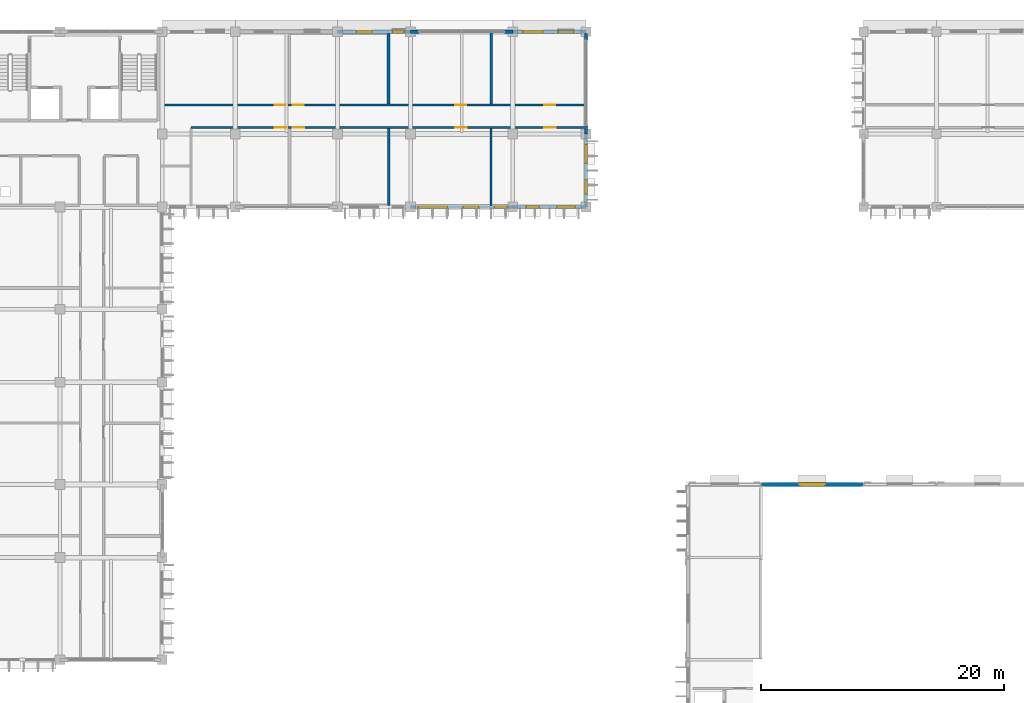
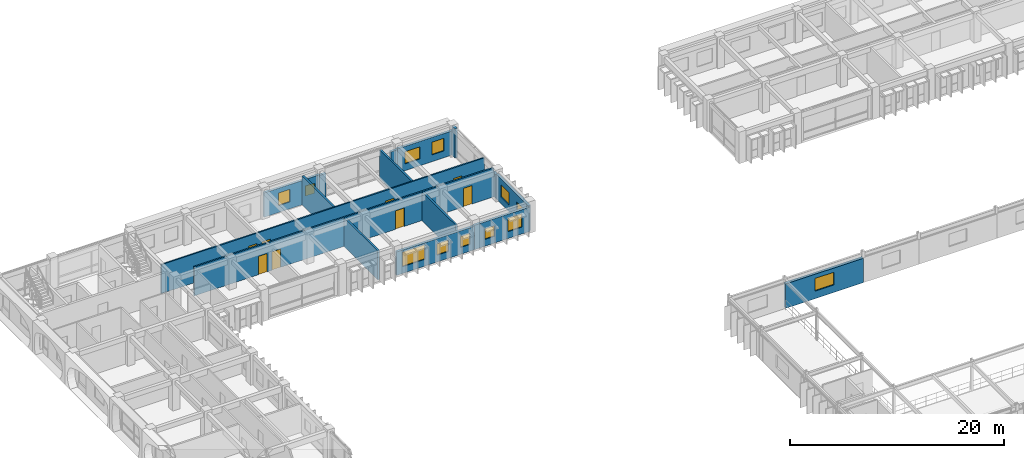
# One storey, part 57 of 88: 16 walls, 12 windows, 8 doors, 20 openings.
"""IFC4 building model written with IfcOpenShell, lengths in metres."""

from ifc_helpers import new_model, si_unit, direction, frame, frame_2d, origin, place, context, subcontext, project, spatial, rectangle, extrude, material, layer, layer_set, type_object, element, fill, save


model = new_model("IFC4")

# Units and contexts
model_context = context("Model", 3, precision=1e-05, world=origin(), true_north=direction((0.0, 1.0)))
body_context = subcontext(model_context, "Body", "Model", "MODEL_VIEW")
ifc_project = project(units=[si_unit("LENGTHUNIT", "METRE"), si_unit("AREAUNIT", "SQUARE_METRE"), si_unit("VOLUMEUNIT", "CUBIC_METRE"), si_unit("PLANEANGLEUNIT", "RADIAN"), si_unit("MASSUNIT", "GRAM", prefix="KILO"), si_unit("THERMODYNAMICTEMPERATUREUNIT", "KELVIN")], contexts=[model_context])

# Site, building, storey
site_placement = place(None, origin())
site = spatial("IfcSite", under=ifc_project, at=site_placement, CompositionType="ELEMENT")
building_placement = place(site_placement, origin())
building = spatial("IfcBuilding", under=site, at=building_placement, Name="Thalorik Housing Commons", CompositionType="ELEMENT")
storey_placement = place(building_placement, frame((0.0, 0.0, 4.5)))
storey = spatial("IfcBuildingStorey", under=building, at=storey_placement, Name="L01", CompositionType="ELEMENT", Elevation=4.5)

# Wall, openings, doors
ifc_material_1 = material(Name="Masonry fire-rated corridor wall", Category="masonry")
ifc_layer_1 = layer(ifc_material_1, 0.14990234375, Name="Masonry fire-rated corridor wall", Category="masonry")
ifc_layer_set_1 = layer_set([ifc_layer_1], Name="Masonry fire-rated corridor wall")
wall_type_1 = type_object("IfcWallType", Name="ARC-WAL-CORR-150", PredefinedType="PARTITIONING", material=ifc_layer_set_1)
wall_1_placement = place(storey_placement, frame((22.659912109375, 117.580078125, 0.0), z_axis=(0.0, 0.0, 1.0), x_axis=(1.0, 0.0, 0.0)))
wall_1 = element("IfcWall", 1, at=wall_1_placement, inside=storey, type_object=wall_type_1, Name="L01 Block A N Corridor Wall 2", PredefinedType="PARTITIONING", context=body_context, shape_type="SweptSolid", body=[
    extrude(rectangle(XDim=34.880126953125, YDim=0.14990234375, at=frame_2d((17.43994140625, 0.0))), origin(), (0.0, 0.0, 1.0), 3.300048828125),
])
opening_1_placement = place(wall_1_placement, frame((9.3798828125, 0.0, 0.0)))
opening_1 = element("IfcOpeningElement", 2, at=opening_1_placement, cuts=wall_1, Name="Opening ID-0441", PredefinedType="OPENING", context=body_context, shape_type="SweptSolid", body=[
    extrude(rectangle(XDim=0.919921875, YDim=2.10009765625, at=frame_2d((0.4599609375, 1.050048828125))), frame((0.0, 0.0849609375, 0.0), z_axis=(0.0, -1.0, 0.0), x_axis=(1.0, 0.0, 0.0)), (0.0, 0.0, 1.0), 0.169921875),
])
opening_2_placement = place(wall_1_placement, frame((10.840087890625, 0.0, 0.0)))
opening_2 = element("IfcOpeningElement", 3, at=opening_2_placement, cuts=wall_1, Name="Opening ID-0442", PredefinedType="OPENING", context=body_context, shape_type="SweptSolid", body=[
    extrude(rectangle(XDim=0.919921875, YDim=2.10009765625, at=frame_2d((0.4599609375, 1.050048828125))), frame((0.0, 0.0849609375, 0.0), z_axis=(0.0, -1.0, 0.0), x_axis=(1.0, 0.0, 0.0)), (0.0, 0.0, 1.0), 0.169921875),
])
opening_3_placement = place(wall_1_placement, frame((24.199951171875, 0.0, 0.0)))
opening_3 = element("IfcOpeningElement", 4, at=opening_3_placement, cuts=wall_1, Name="Opening ID-0443", PredefinedType="OPENING", context=body_context, shape_type="SweptSolid", body=[
    extrude(rectangle(XDim=0.919921875, YDim=2.10009765625, at=frame_2d((0.4599609375, 1.050048828125))), frame((0.0, 0.0849609375, 0.0), z_axis=(0.0, -1.0, 0.0), x_axis=(1.0, 0.0, 0.0)), (0.0, 0.0, 1.0), 0.169921875),
])
opening_4_placement = place(wall_1_placement, frame((31.5146484375, 0.0, 0.0)))
opening_4 = element("IfcOpeningElement", 5, at=opening_4_placement, cuts=wall_1, Name="Opening ID-0444", PredefinedType="OPENING", context=body_context, shape_type="SweptSolid", body=[
    extrude(rectangle(XDim=0.919921875, YDim=2.10009765625, at=frame_2d((0.4599609375, 1.050048828125))), frame((0.0, 0.0849609375, 0.0), z_axis=(0.0, -1.0, 0.0), x_axis=(1.0, 0.0, 0.0)), (0.0, 0.0, 1.0), 0.169921875),
])
ifc_material_2 = material(Name="Solid core hardwood timber", Category="wood")
door_type_1 = type_object("IfcDoorType", Name="ARC-DR-FD30-920", OperationType="NOTDEFINED", PredefinedType="DOOR", material=ifc_material_2)
door_1_placement = place(opening_1_placement, origin())
door_1 = element("IfcDoor", 6, at=door_1_placement, inside=storey, type_object=door_type_1, Name="L01 Music and Craft Practice Room Door", OperationType="SINGLE_SWING_RIGHT", OverallHeight=2.10009765625, OverallWidth=0.919921875, PredefinedType="DOOR", context=body_context, shape_type="SweptSolid", body=[
    extrude(rectangle(XDim=0.919921875, YDim=2.10009765625, at=frame_2d((0.4599609375, 1.050048828125))), frame((0.0, 0.02490234375, 0.0), z_axis=(0.0, -1.0, 0.0), x_axis=(1.0, 0.0, 0.0)), (0.0, 0.0, 1.0), 0.050048828125),
])
fill(opening_1, door_1)
door_2_placement = place(opening_2_placement, origin())
door_2 = element("IfcDoor", 7, at=door_2_placement, inside=storey, type_object=door_type_1, Name="L01 Ceramics and Print Workshop Door", OperationType="SINGLE_SWING_LEFT", OverallHeight=2.10009765625, OverallWidth=0.919921875, PredefinedType="DOOR", context=body_context, shape_type="SweptSolid", body=[
    extrude(rectangle(XDim=0.919921875, YDim=2.10009765625, at=frame_2d((0.4599609375, 1.050048828125))), frame((0.0, 0.02490234375, 0.0), z_axis=(0.0, -1.0, 0.0), x_axis=(1.0, 0.0, 0.0)), (0.0, 0.0, 1.0), 0.050048828125),
])
fill(opening_2, door_2)
door_3_placement = place(opening_3_placement, origin())
door_3 = element("IfcDoor", 8, at=door_3_placement, inside=storey, type_object=door_type_1, Name="L01 Residents Health and Quiet Room Door", OperationType="SINGLE_SWING_RIGHT", OverallHeight=2.10009765625, OverallWidth=0.919921875, PredefinedType="DOOR", context=body_context, shape_type="SweptSolid", body=[
    extrude(rectangle(XDim=0.919921875, YDim=2.10009765625, at=frame_2d((0.4599609375, 1.050048828125))), frame((0.0, 0.02490234375, 0.0), z_axis=(0.0, -1.0, 0.0), x_axis=(1.0, 0.0, 0.0)), (0.0, 0.0, 1.0), 0.050048828125),
])
fill(opening_3, door_3)
door_4_placement = place(opening_4_placement, origin())
door_4 = element("IfcDoor", 9, at=door_4_placement, inside=storey, type_object=door_type_1, Name="L01 Residents Study Room Door", OperationType="SINGLE_SWING_LEFT", OverallHeight=2.10009765625, OverallWidth=0.919921875, PredefinedType="DOOR", context=body_context, shape_type="SweptSolid", body=[
    extrude(rectangle(XDim=0.919921875, YDim=2.10009765625, at=frame_2d((0.4599609375, 1.050048828125))), frame((0.0, 0.02490234375, 0.0), z_axis=(0.0, -1.0, 0.0), x_axis=(1.0, 0.0, 0.0)), (0.0, 0.0, 1.0), 0.050048828125),
])
fill(opening_4, door_4)

ifc_layer_2 = layer(ifc_material_1, 0.1650390625, Name="Masonry fire-rated corridor wall", Category="masonry")
ifc_layer_set_2 = layer_set([ifc_layer_2], Name="Masonry fire-rated corridor wall")
wall_type_2 = type_object("IfcWallType", Name="ARC-WAL-CORR-165", PredefinedType="PARTITIONING", material=ifc_layer_set_2)
wall_2_placement = place(storey_placement, frame((25.14990234375, 115.719970703125, 0.0), z_axis=(0.0, 0.0, 1.0), x_axis=(1.0, 0.0, 0.0)))
wall_2 = element("IfcWall", 10, at=wall_2_placement, inside=storey, type_object=wall_type_2, Name="L01 Block A N Corridor Wall 1", PredefinedType="PARTITIONING", context=body_context, shape_type="SweptSolid", body=[
    extrude(rectangle(XDim=32.320556640625, YDim=0.1650390625, at=frame_2d((16.16015625, 0.0))), origin(), (0.0, 0.0, 1.0), 3.300048828125),
])
opening_5_placement = place(wall_2_placement, frame((6.89990234375, 0.0, 0.0)))
opening_5 = element("IfcOpeningElement", 11, at=opening_5_placement, cuts=wall_2, Name="Opening ID-0437", PredefinedType="OPENING", context=body_context, shape_type="SweptSolid", body=[
    extrude(rectangle(XDim=0.949951171875, YDim=2.10009765625, at=frame_2d((0.47509765625, 1.050048828125))), frame((0.0, 0.092529296875, 0.0), z_axis=(0.0, -1.0, 0.0), x_axis=(1.0, 0.0, 0.0)), (0.0, 0.0, 1.0), 0.18505859375),
])
opening_6_placement = place(wall_2_placement, frame((8.35009765625, 0.0, 0.0)))
opening_6 = element("IfcOpeningElement", 12, at=opening_6_placement, cuts=wall_2, Name="Opening ID-0438", PredefinedType="OPENING", context=body_context, shape_type="SweptSolid", body=[
    extrude(rectangle(XDim=0.949951171875, YDim=2.10009765625, at=frame_2d((0.47509765625, 1.050048828125))), frame((0.0, 0.092529296875, 0.0), z_axis=(0.0, -1.0, 0.0), x_axis=(1.0, 0.0, 0.0)), (0.0, 0.0, 1.0), 0.18505859375),
])
opening_7_placement = place(wall_2_placement, frame((21.717529296875, 0.0, 0.0)))
opening_7 = element("IfcOpeningElement", 13, at=opening_7_placement, cuts=wall_2, Name="Opening ID-0439", PredefinedType="OPENING", context=body_context, shape_type="SweptSolid", body=[
    extrude(rectangle(XDim=0.949951171875, YDim=2.10009765625, at=frame_2d((0.47509765625, 1.050048828125))), frame((0.0, 0.092529296875, 0.0), z_axis=(0.0, -1.0, 0.0), x_axis=(1.0, 0.0, 0.0)), (0.0, 0.0, 1.0), 0.18505859375),
])
opening_8_placement = place(wall_2_placement, frame((29.03125, 0.0, 0.0)))
opening_8 = element("IfcOpeningElement", 14, at=opening_8_placement, cuts=wall_2, Name="Opening ID-0440", PredefinedType="OPENING", context=body_context, shape_type="SweptSolid", body=[
    extrude(rectangle(XDim=0.949951171875, YDim=2.10009765625, at=frame_2d((0.47509765625, 1.050048828125))), frame((0.0, 0.092529296875, 0.0), z_axis=(0.0, -1.0, 0.0), x_axis=(1.0, 0.0, 0.0)), (0.0, 0.0, 1.0), 0.18505859375),
])
ifc_material_3 = material(Name="Steel S355", Category="steel")
door_type_2 = type_object("IfcDoorType", Name="ARC-DR-FD60-950", OperationType="NOTDEFINED", PredefinedType="DOOR", material=ifc_material_3)
door_5_placement = place(opening_5_placement, origin())
door_5 = element("IfcDoor", 15, at=door_5_placement, inside=storey, type_object=door_type_2, Name="L01 Community Study Hall Entrance Door", OperationType="SINGLE_SWING_RIGHT", OverallHeight=2.10009765625, OverallWidth=0.949951171875, PredefinedType="DOOR", context=body_context, shape_type="SweptSolid", body=[
    extrude(rectangle(XDim=0.949951171875, YDim=2.10009765625, at=frame_2d((0.47509765625, 1.050048828125))), frame((0.0, 0.02490234375, 0.0), z_axis=(0.0, -1.0, 0.0), x_axis=(1.0, 0.0, 0.0)), (0.0, 0.0, 1.0), 0.050048828125),
])
fill(opening_5, door_5)
door_6_placement = place(opening_6_placement, origin())
door_6 = element("IfcDoor", 16, at=door_6_placement, inside=storey, type_object=door_type_2, Name="L01 Shared Sewing Workshop Entrance Door", OperationType="SINGLE_SWING_LEFT", OverallHeight=2.10009765625, OverallWidth=0.949951171875, PredefinedType="DOOR", context=body_context, shape_type="SweptSolid", body=[
    extrude(rectangle(XDim=0.949951171875, YDim=2.10009765625, at=frame_2d((0.47509765625, 1.050048828125))), frame((0.0, 0.02490234375, 0.0), z_axis=(0.0, -1.0, 0.0), x_axis=(1.0, 0.0, 0.0)), (0.0, 0.0, 1.0), 0.050048828125),
])
fill(opening_6, door_6)
door_7_placement = place(opening_7_placement, origin())
door_7 = element("IfcDoor", 17, at=door_7_placement, inside=storey, type_object=door_type_2, Name="L01 Digital Media Room Entrance Door", OperationType="SINGLE_SWING_RIGHT", OverallHeight=2.10009765625, OverallWidth=0.949951171875, PredefinedType="DOOR", context=body_context, shape_type="SweptSolid", body=[
    extrude(rectangle(XDim=0.949951171875, YDim=2.10009765625, at=frame_2d((0.47509765625, 1.050048828125))), frame((0.0, 0.02490234375, 0.0), z_axis=(0.0, -1.0, 0.0), x_axis=(1.0, 0.0, 0.0)), (0.0, 0.0, 1.0), 0.050048828125),
])
fill(opening_7, door_7)
door_8_placement = place(opening_8_placement, origin())
door_8 = element("IfcDoor", 18, at=door_8_placement, inside=storey, type_object=door_type_2, Name="L01 Youth Reading Room Entrance Door", OperationType="SINGLE_SWING_LEFT", OverallHeight=2.10009765625, OverallWidth=0.949951171875, PredefinedType="DOOR", context=body_context, shape_type="SweptSolid", body=[
    extrude(rectangle(XDim=0.949951171875, YDim=2.10009765625, at=frame_2d((0.47509765625, 1.050048828125))), frame((0.0, 0.02490234375, 0.0), z_axis=(0.0, -1.0, 0.0), x_axis=(1.0, 0.0, 0.0)), (0.0, 0.0, 1.0), 0.050048828125),
])
fill(opening_8, door_8)

# Wall, openings, windows
ifc_material_4 = material(Name="White precast concrete C40/50", Category="concrete")
ifc_layer_3 = layer(ifc_material_4, 0.2548828125, Name="White precast concrete C40/50", Category="concrete")
ifc_layer_set_3 = layer_set([ifc_layer_3], Name="White precast concrete C40/50")
wall_type_3 = type_object("IfcWallType", Name="ARC-WAL-EXT-255", PredefinedType="STANDARD", material=ifc_layer_set_3)
wall_3_placement = place(storey_placement, frame((43.199951171875, 109.199951171875, 0.0), z_axis=(0.0, 0.0, 1.0), x_axis=(1.0, 0.0, 0.0)))
wall_3 = element("IfcWall", 19, at=wall_3_placement, inside=storey, type_object=wall_type_3, Name="L01 Exterior Wall WAL-EXT-L01-A-0032", PredefinedType="STANDARD", context=body_context, shape_type="SweptSolid", body=[
    extrude(rectangle(XDim=8.400146484375, YDim=0.2548828125, at=frame_2d((4.2001953125, 0.0))), origin(), (0.0, 0.0, 1.0), 2.675048828125),
])
opening_9_placement = place(wall_3_placement, frame((0.6298828125, 0.0, 0.780029296875)))
opening_9 = element("IfcOpeningElement", 20, at=opening_9_placement, cuts=wall_3, Name="Opening W-34", PredefinedType="OPENING", context=body_context, shape_type="SweptSolid", body=[
    extrude(rectangle(XDim=2.39990234375, YDim=1.64990234375, at=frame_2d((1.199951171875, 0.824951171875))), frame((0.0, 0.137451171875, 0.0), z_axis=(0.0, -1.0, 0.0), x_axis=(1.0, 0.0, 0.0)), (0.0, 0.0, 1.0), 0.27490234375),
])
opening_10_placement = place(wall_3_placement, frame((4.344970703125, 0.0, 0.780029296875)))
opening_10 = element("IfcOpeningElement", 21, at=opening_10_placement, cuts=wall_3, Name="Opening W-46", PredefinedType="OPENING", context=body_context, shape_type="SweptSolid", body=[
    extrude(rectangle(XDim=1.25, YDim=1.300048828125, at=frame_2d((0.625, 0.64990234375))), frame((0.0, 0.137451171875, 0.0), z_axis=(0.0, -1.0, 0.0), x_axis=(1.0, 0.0, 0.0)), (0.0, 0.0, 1.0), 0.27490234375),
])
opening_11_placement = place(wall_3_placement, frame((6.909912109375, 0.0, 0.780029296875)))
opening_11 = element("IfcOpeningElement", 22, at=opening_11_placement, cuts=wall_3, Name="Opening W-02", PredefinedType="OPENING", context=body_context, shape_type="SweptSolid", body=[
    extrude(rectangle(XDim=1.0, YDim=1.25, at=frame_2d((0.5, 0.625))), frame((0.0, 0.137451171875, 0.0), z_axis=(0.0, -1.0, 0.0), x_axis=(1.0, 0.0, 0.0)), (0.0, 0.0, 1.0), 0.27490234375),
])
ifc_material_5 = material(Name="Anodised aluminium and solar-control low-E glass", Category="aluminium")
window_type_1 = type_object("IfcWindowType", Name="ARC-WIN-02", PartitioningType="SINGLE_PANEL", PredefinedType="WINDOW", material=ifc_material_5)
window_1_placement = place(opening_11_placement, origin())
window_1 = element("IfcWindow", 23, at=window_1_placement, inside=storey, type_object=window_type_1, Name="L01 Facade Window 56", OverallHeight=1.25, OverallWidth=1.0, PartitioningType="SINGLE_PANEL", PredefinedType="WINDOW", context=body_context, shape_type="SweptSolid", body=[
    extrude(rectangle(XDim=1.0, YDim=1.25, at=frame_2d((0.5, 0.625))), frame((0.0, 0.030029296875, 0.0), z_axis=(0.0, -1.0, 0.0), x_axis=(1.0, 0.0, 0.0)), (0.0, 0.0, 1.0), 0.06005859375),
])
fill(opening_11, window_1)
window_type_2 = type_object("IfcWindowType", Name="ARC-WIN-34", PartitioningType="DOUBLE_PANEL_VERTICAL", PredefinedType="WINDOW", material=ifc_material_5)
window_2_placement = place(opening_9_placement, origin())
window_2 = element("IfcWindow", 24, at=window_2_placement, inside=storey, type_object=window_type_2, Name="L01 Facade Window 54", OverallHeight=1.64990234375, OverallWidth=2.39990234375, PartitioningType="DOUBLE_PANEL_VERTICAL", PredefinedType="WINDOW", context=body_context, shape_type="SweptSolid", body=[
    extrude(rectangle(XDim=2.39990234375, YDim=1.64990234375, at=frame_2d((1.199951171875, 0.824951171875))), frame((0.0, 0.030029296875, 0.0), z_axis=(0.0, -1.0, 0.0), x_axis=(1.0, 0.0, 0.0)), (0.0, 0.0, 1.0), 0.06005859375),
])
fill(opening_9, window_2)
window_type_3 = type_object("IfcWindowType", Name="ARC-WIN-46", PartitioningType="SINGLE_PANEL", PredefinedType="WINDOW", material=ifc_material_5)
window_3_placement = place(opening_10_placement, origin())
window_3 = element("IfcWindow", 25, at=window_3_placement, inside=storey, type_object=window_type_3, Name="L01 Facade Window 55", OverallHeight=1.300048828125, OverallWidth=1.25, PartitioningType="SINGLE_PANEL", PredefinedType="WINDOW", context=body_context, shape_type="SweptSolid", body=[
    extrude(rectangle(XDim=1.25, YDim=1.300048828125, at=frame_2d((0.625, 0.64990234375))), frame((0.0, 0.030029296875, 0.0), z_axis=(0.0, -1.0, 0.0), x_axis=(1.0, 0.0, 0.0)), (0.0, 0.0, 1.0), 0.06005859375),
])
fill(opening_10, window_3)

wall_4_placement = place(storey_placement, frame((51.60009765625, 109.199951171875, 0.0), z_axis=(0.0, 0.0, 1.0), x_axis=(1.0, 0.0, 0.0)))
wall_4 = element("IfcWall", 26, at=wall_4_placement, inside=storey, type_object=wall_type_3, Name="L01 Exterior Wall WAL-EXT-L01-A-0033", PredefinedType="STANDARD", context=body_context, shape_type="SweptSolid", body=[
    extrude(rectangle(XDim=6.0, YDim=0.2548828125, at=frame_2d((3.0, 0.0))), origin(), (0.0, 0.0, 1.0), 2.77490234375),
])
opening_12_placement = place(wall_4_placement, frame((1.10498046875, 0.0, 0.780029296875)))
opening_12 = element("IfcOpeningElement", 27, at=opening_12_placement, cuts=wall_4, Name="Opening W-44", PredefinedType="OPENING", context=body_context, shape_type="SweptSolid", body=[
    extrude(rectangle(XDim=1.050048828125, YDim=1.199951171875, at=frame_2d((0.52490234375, 0.60009765625))), frame((0.0, 0.137451171875, 0.0), z_axis=(0.0, -1.0, 0.0), x_axis=(1.0, 0.0, 0.0)), (0.0, 0.0, 1.0), 0.27490234375),
])
opening_13_placement = place(wall_4_placement, frame((3.6298828125, 0.0, 0.780029296875)))
opening_13 = element("IfcOpeningElement", 28, at=opening_13_placement, cuts=wall_4, Name="Opening W-51", PredefinedType="OPENING", context=body_context, shape_type="SweptSolid", body=[
    extrude(rectangle(XDim=1.47998046875, YDim=1.52001953125, at=frame_2d((0.739990234375, 0.760009765625))), frame((0.0, 0.137451171875, 0.0), z_axis=(0.0, -1.0, 0.0), x_axis=(1.0, 0.0, 0.0)), (0.0, 0.0, 1.0), 0.27490234375),
])
window_type_4 = type_object("IfcWindowType", Name="ARC-WIN-44", PartitioningType="SINGLE_PANEL", PredefinedType="WINDOW", material=ifc_material_5)
window_4_placement = place(opening_12_placement, origin())
window_4 = element("IfcWindow", 29, at=window_4_placement, inside=storey, type_object=window_type_4, Name="L01 Facade Window 57", OverallHeight=1.199951171875, OverallWidth=1.050048828125, PartitioningType="SINGLE_PANEL", PredefinedType="WINDOW", context=body_context, shape_type="SweptSolid", body=[
    extrude(rectangle(XDim=1.050048828125, YDim=1.199951171875, at=frame_2d((0.52490234375, 0.60009765625))), frame((0.0, 0.030029296875, 0.0), z_axis=(0.0, -1.0, 0.0), x_axis=(1.0, 0.0, 0.0)), (0.0, 0.0, 1.0), 0.06005859375),
])
fill(opening_12, window_4)
window_type_5 = type_object("IfcWindowType", Name="ARC-WIN-51", PartitioningType="SINGLE_PANEL", PredefinedType="WINDOW", material=ifc_material_5)
window_5_placement = place(opening_13_placement, origin())
window_5 = element("IfcWindow", 30, at=window_5_placement, inside=storey, type_object=window_type_5, Name="L01 Facade Window 58", OverallHeight=1.52001953125, OverallWidth=1.47998046875, PartitioningType="SINGLE_PANEL", PredefinedType="WINDOW", context=body_context, shape_type="SweptSolid", body=[
    extrude(rectangle(XDim=1.47998046875, YDim=1.52001953125, at=frame_2d((0.739990234375, 0.760009765625))), frame((0.0, 0.030029296875, 0.0), z_axis=(0.0, -1.0, 0.0), x_axis=(1.0, 0.0, 0.0)), (0.0, 0.0, 1.0), 0.06005859375),
])
fill(opening_13, window_5)

wall_5_placement = place(storey_placement, frame((57.60009765625, 109.199951171875, 0.0), z_axis=(0.0, 0.0, 1.0), x_axis=(0.0, 1.0, 0.0)))
wall_5 = element("IfcWall", 31, at=wall_5_placement, inside=storey, type_object=wall_type_3, Name="L01 Exterior Wall WAL-EXT-L01-A-0034", PredefinedType="STANDARD", context=body_context, shape_type="SweptSolid", body=[
    extrude(rectangle(XDim=6.0, YDim=0.2548828125, at=frame_2d((3.0, 0.0))), origin(), (0.0, 0.0, 1.0), 2.875),
])
opening_14_placement = place(wall_5_placement, frame((1.054931640625, 0.0, 0.780029296875)))
opening_14 = element("IfcOpeningElement", 32, at=opening_14_placement, cuts=wall_5, Name="Opening W-45", PredefinedType="OPENING", context=body_context, shape_type="SweptSolid", body=[
    extrude(rectangle(XDim=1.14990234375, YDim=1.25, at=frame_2d((0.574951171875, 0.625))), frame((0.0, 0.137451171875, 0.0), z_axis=(0.0, -1.0, 0.0), x_axis=(1.0, 0.0, 0.0)), (0.0, 0.0, 1.0), 0.27490234375),
])
opening_15_placement = place(wall_5_placement, frame((3.610107421875, 0.0, 0.780029296875)))
opening_15 = element("IfcOpeningElement", 33, at=opening_15_placement, cuts=wall_5, Name="Opening W-52", PredefinedType="OPENING", context=body_context, shape_type="SweptSolid", body=[
    extrude(rectangle(XDim=1.52001953125, YDim=1.419921875, at=frame_2d((0.760009765625, 0.7099609375))), frame((0.0, 0.137451171875, 0.0), z_axis=(0.0, -1.0, 0.0), x_axis=(1.0, 0.0, 0.0)), (0.0, 0.0, 1.0), 0.27490234375),
])
window_type_6 = type_object("IfcWindowType", Name="ARC-WIN-45", PartitioningType="SINGLE_PANEL", PredefinedType="WINDOW", material=ifc_material_5)
window_6_placement = place(opening_14_placement, origin())
window_6 = element("IfcWindow", 34, at=window_6_placement, inside=storey, type_object=window_type_6, Name="L01 Facade Window 59", OverallHeight=1.25, OverallWidth=1.14990234375, PartitioningType="SINGLE_PANEL", PredefinedType="WINDOW", context=body_context, shape_type="SweptSolid", body=[
    extrude(rectangle(XDim=1.14990234375, YDim=1.25, at=frame_2d((0.574951171875, 0.625))), frame((0.0, 0.030029296875, 0.0), z_axis=(0.0, -1.0, 0.0), x_axis=(1.0, 0.0, 0.0)), (0.0, 0.0, 1.0), 0.06005859375),
])
fill(opening_14, window_6)
window_type_7 = type_object("IfcWindowType", Name="ARC-WIN-52", PartitioningType="SINGLE_PANEL", PredefinedType="WINDOW", material=ifc_material_5)
window_7_placement = place(opening_15_placement, origin())
window_7 = element("IfcWindow", 35, at=window_7_placement, inside=storey, type_object=window_type_7, Name="L01 Facade Window 60", OverallHeight=1.419921875, OverallWidth=1.52001953125, PartitioningType="SINGLE_PANEL", PredefinedType="WINDOW", context=body_context, shape_type="SweptSolid", body=[
    extrude(rectangle(XDim=1.52001953125, YDim=1.419921875, at=frame_2d((0.760009765625, 0.7099609375))), frame((0.0, 0.030029296875, 0.0), z_axis=(0.0, -1.0, 0.0), x_axis=(1.0, 0.0, 0.0)), (0.0, 0.0, 1.0), 0.06005859375),
])
fill(opening_15, window_7)

# Walls
wall_6_placement = place(storey_placement, frame((57.60009765625, 115.199951171875, 0.0), z_axis=(0.0, 0.0, 1.0), x_axis=(0.0, 1.0, 0.0)))
element("IfcWall", 36, at=wall_6_placement, inside=storey, type_object=wall_type_3, Name="L01 Exterior Wall WAL-PIERL-L01-A-0035", PredefinedType="STANDARD", context=body_context, shape_type="SweptSolid", body=[
    extrude(rectangle(XDim=0.699951171875, YDim=0.2548828125, at=frame_2d((0.35009765625, 0.0))), origin(), (0.0, 0.0, 1.0), 2.72509765625),
])
wall_7_placement = place(storey_placement, frame((57.60009765625, 122.89990234375, 0.0), z_axis=(0.0, 0.0, 1.0), x_axis=(0.0, 1.0, 0.0)))
element("IfcWall", 37, at=wall_7_placement, inside=storey, type_object=wall_type_3, Name="L01 Exterior Wall WAL-PIERR-L01-A-0035", PredefinedType="STANDARD", context=body_context, shape_type="SweptSolid", body=[
    extrude(rectangle(XDim=0.570556640625, YDim=0.2548828125, at=frame_2d((0.28515625, 0.0))), origin(), (0.0, 0.0, 1.0), 3.340087890625),
])

# Wall, openings, windows
wall_8_placement = place(storey_placement, frame((57.60009765625, 123.60009765625, 0.0), z_axis=(0.0, 0.0, 1.0), x_axis=(-1.0, 0.0, 0.0)))
wall_8 = element("IfcWall", 38, at=wall_8_placement, inside=storey, type_object=wall_type_3, Name="L01 Exterior Wall WAL-EXT-L01-A-0036", PredefinedType="STANDARD", context=body_context, shape_type="SweptSolid", body=[
    extrude(rectangle(XDim=6.0, YDim=0.2548828125, at=frame_2d((3.0, 0.0))), origin(), (0.0, 0.0, 1.0), 2.77490234375),
])
opening_16_placement = place(wall_8_placement, frame((1.0048828125, 0.0, 0.780029296875)))
opening_16 = element("IfcOpeningElement", 39, at=opening_16_placement, cuts=wall_8, Name="Opening W-47", PredefinedType="OPENING", context=body_context, shape_type="SweptSolid", body=[
    extrude(rectangle(XDim=1.25, YDim=1.449951171875, at=frame_2d((0.625, 0.72509765625))), frame((0.0, 0.137451171875, 0.0), z_axis=(0.0, -1.0, 0.0), x_axis=(1.0, 0.0, 0.0)), (0.0, 0.0, 1.0), 0.27490234375),
])
opening_17_placement = place(wall_8_placement, frame((3.56005859375, 0.0, 0.780029296875)))
opening_17 = element("IfcOpeningElement", 40, at=opening_17_placement, cuts=wall_8, Name="Opening W-54", PredefinedType="OPENING", context=body_context, shape_type="SweptSolid", body=[
    extrude(rectangle(XDim=1.6201171875, YDim=1.3798828125, at=frame_2d((0.81005859375, 0.68994140625))), frame((0.0, 0.137451171875, 0.0), z_axis=(0.0, -1.0, 0.0), x_axis=(1.0, 0.0, 0.0)), (0.0, 0.0, 1.0), 0.27490234375),
])
window_type_8 = type_object("IfcWindowType", Name="ARC-WIN-47", PartitioningType="SINGLE_PANEL", PredefinedType="WINDOW", material=ifc_material_5)
window_8_placement = place(opening_16_placement, origin())
window_8 = element("IfcWindow", 41, at=window_8_placement, inside=storey, type_object=window_type_8, Name="L01 Facade Window 61", OverallHeight=1.449951171875, OverallWidth=1.25, PartitioningType="SINGLE_PANEL", PredefinedType="WINDOW", context=body_context, shape_type="SweptSolid", body=[
    extrude(rectangle(XDim=1.25, YDim=1.449951171875, at=frame_2d((0.625, 0.72509765625))), frame((0.0, 0.030029296875, 0.0), z_axis=(0.0, -1.0, 0.0), x_axis=(1.0, 0.0, 0.0)), (0.0, 0.0, 1.0), 0.06005859375),
])
fill(opening_16, window_8)
window_type_9 = type_object("IfcWindowType", Name="ARC-WIN-54", PartitioningType="DOUBLE_PANEL_VERTICAL", PredefinedType="WINDOW", material=ifc_material_5)
window_9_placement = place(opening_17_placement, origin())
window_9 = element("IfcWindow", 42, at=window_9_placement, inside=storey, type_object=window_type_9, Name="L01 Facade Window 62", OverallHeight=1.3798828125, OverallWidth=1.6201171875, PartitioningType="DOUBLE_PANEL_VERTICAL", PredefinedType="WINDOW", context=body_context, shape_type="SweptSolid", body=[
    extrude(rectangle(XDim=1.6201171875, YDim=1.3798828125, at=frame_2d((0.81005859375, 0.68994140625))), frame((0.0, 0.030029296875, 0.0), z_axis=(0.0, -1.0, 0.0), x_axis=(1.0, 0.0, 0.0)), (0.0, 0.0, 1.0), 0.06005859375),
])
fill(opening_17, window_9)

# Walls
wall_9_placement = place(storey_placement, frame((51.60009765625, 123.60009765625, 0.0), z_axis=(0.0, 0.0, 1.0), x_axis=(-1.0, 0.0, 0.0)))
element("IfcWall", 43, at=wall_9_placement, inside=storey, type_object=wall_type_3, Name="L01 Exterior Wall WAL-PIERL-L01-A-0037", PredefinedType="STANDARD", context=body_context, shape_type="SweptSolid", body=[
    extrude(rectangle(XDim=0.7001953125, YDim=0.2548828125, at=frame_2d((0.35009765625, 0.0))), origin(), (0.0, 0.0, 1.0), 2.675048828125),
])
wall_10_placement = place(storey_placement, frame((43.89990234375, 123.60009765625, 0.0), z_axis=(0.0, 0.0, 1.0), x_axis=(-1.0, 0.0, 0.0)))
element("IfcWall", 44, at=wall_10_placement, inside=storey, type_object=wall_type_3, Name="L01 Exterior Wall WAL-PIERR-L01-A-0037", PredefinedType="STANDARD", context=body_context, shape_type="SweptSolid", body=[
    extrude(rectangle(XDim=0.699951171875, YDim=0.2548828125, at=frame_2d((0.35009765625, 0.0))), origin(), (0.0, 0.0, 1.0), 2.675048828125),
])

# Wall, openings, windows
wall_11_placement = place(storey_placement, frame((43.199951171875, 123.60009765625, 0.0), z_axis=(0.0, 0.0, 1.0), x_axis=(-1.0, 0.0, 0.0)))
wall_11 = element("IfcWall", 45, at=wall_11_placement, inside=storey, type_object=wall_type_3, Name="L01 Exterior Wall WAL-EXT-L01-A-0038", PredefinedType="STANDARD", context=body_context, shape_type="SweptSolid", body=[
    extrude(rectangle(XDim=6.0, YDim=0.2548828125, at=frame_2d((3.0, 0.0))), origin(), (0.0, 0.0, 1.0), 2.77490234375),
])
opening_18_placement = place(wall_11_placement, frame((0.52490234375, 0.0, 0.780029296875)))
opening_18 = element("IfcOpeningElement", 46, at=opening_18_placement, cuts=wall_11, Name="Opening W-43", PredefinedType="OPENING", context=body_context, shape_type="SweptSolid", body=[
    extrude(rectangle(XDim=0.949951171875, YDim=1.14990234375, at=frame_2d((0.47509765625, 0.574951171875))), frame((0.0, 0.137451171875, 0.0), z_axis=(0.0, -1.0, 0.0), x_axis=(1.0, 0.0, 0.0)), (0.0, 0.0, 1.0), 0.27490234375),
])
opening_19_placement = place(wall_11_placement, frame((3.18505859375, 0.0, 0.780029296875)))
opening_19 = element("IfcOpeningElement", 47, at=opening_19_placement, cuts=wall_11, Name="Opening W-47", PredefinedType="OPENING", context=body_context, shape_type="SweptSolid", body=[
    extrude(rectangle(XDim=1.25, YDim=1.449951171875, at=frame_2d((0.625, 0.72509765625))), frame((0.0, 0.137451171875, 0.0), z_axis=(0.0, -1.0, 0.0), x_axis=(1.0, 0.0, 0.0)), (0.0, 0.0, 1.0), 0.27490234375),
])
window_type_10 = type_object("IfcWindowType", Name="ARC-WIN-43", PartitioningType="SINGLE_PANEL", PredefinedType="WINDOW", material=ifc_material_5)
window_10_placement = place(opening_18_placement, origin())
window_10 = element("IfcWindow", 48, at=window_10_placement, inside=storey, type_object=window_type_10, Name="L01 Facade Window 63", OverallHeight=1.14990234375, OverallWidth=0.949951171875, PartitioningType="SINGLE_PANEL", PredefinedType="WINDOW", context=body_context, shape_type="SweptSolid", body=[
    extrude(rectangle(XDim=0.949951171875, YDim=1.14990234375, at=frame_2d((0.47509765625, 0.574951171875))), frame((0.0, 0.030029296875, 0.0), z_axis=(0.0, -1.0, 0.0), x_axis=(1.0, 0.0, 0.0)), (0.0, 0.0, 1.0), 0.06005859375),
])
fill(opening_18, window_10)
window_11_placement = place(opening_19_placement, origin())
window_11 = element("IfcWindow", 49, at=window_11_placement, inside=storey, type_object=window_type_8, Name="L01 Facade Window 64", OverallHeight=1.449951171875, OverallWidth=1.25, PartitioningType="SINGLE_PANEL", PredefinedType="WINDOW", context=body_context, shape_type="SweptSolid", body=[
    extrude(rectangle(XDim=1.25, YDim=1.449951171875, at=frame_2d((0.625, 0.72509765625))), frame((0.0, 0.030029296875, 0.0), z_axis=(0.0, -1.0, 0.0), x_axis=(1.0, 0.0, 0.0)), (0.0, 0.0, 1.0), 0.06005859375),
])
fill(opening_19, window_11)

# Wall, opening, window
ifc_layer_4 = layer(ifc_material_4, 0.320068359375, Name="White precast concrete C40/50", Category="concrete")
ifc_layer_set_4 = layer_set([ifc_layer_4], Name="White precast concrete C40/50")
wall_type_4 = type_object("IfcWallType", Name="ARC-WAL-EXT-320", PredefinedType="STANDARD", material=ifc_layer_set_4)
wall_12_placement = place(storey_placement, frame((80.39990234375, 86.39990234375, 0.0), z_axis=(0.0, 0.0, 1.0), x_axis=(-1.0, 0.0, 0.0)))
wall_12 = element("IfcWall", 50, at=wall_12_placement, inside=storey, type_object=wall_type_4, Name="L01 Exterior Wall WAL-HALL-L01-1317", PredefinedType="STANDARD", context=body_context, shape_type="SweptSolid", body=[
    extrude(rectangle(XDim=8.39990234375, YDim=0.320068359375, at=frame_2d((4.199951171875, 0.0))), origin(), (0.0, 0.0, 1.0), 2.785888671875),
])
opening_20_placement = place(wall_12_placement, frame((3.179931640625, 0.0, 0.85009765625)))
opening_20 = element("IfcOpeningElement", 51, at=opening_20_placement, cuts=wall_12, Name="Opening W-62", PredefinedType="OPENING", context=body_context, shape_type="SweptSolid", body=[
    extrude(rectangle(XDim=2.0400390625, YDim=1.4599609375, at=frame_2d((1.02001953125, 0.72998046875))), frame((0.0, 0.169921875, 0.0), z_axis=(0.0, -1.0, 0.0), x_axis=(1.0, 0.0, 0.0)), (0.0, 0.0, 1.0), 0.340087890625),
])
window_type_11 = type_object("IfcWindowType", Name="ARC-WIN-62", PartitioningType="DOUBLE_PANEL_VERTICAL", PredefinedType="WINDOW", material=ifc_material_5)
window_12_placement = place(opening_20_placement, origin())
window_12 = element("IfcWindow", 52, at=window_12_placement, inside=storey, type_object=window_type_11, Name="L01 Facade Window 2353", OverallHeight=1.4599609375, OverallWidth=2.0400390625, PartitioningType="DOUBLE_PANEL_VERTICAL", PredefinedType="WINDOW", context=body_context, shape_type="SweptSolid", body=[
    extrude(rectangle(XDim=2.0400390625, YDim=1.4599609375, at=frame_2d((1.02001953125, 0.72998046875))), frame((0.0, 0.030029296875, 0.0), z_axis=(0.0, -1.0, 0.0), x_axis=(1.0, 0.0, 0.0)), (0.0, 0.0, 1.0), 0.06005859375),
])
fill(opening_20, window_12)

# Walls
ifc_material_6 = material(Name="Masonry acoustic blockwork wall", Category="masonry")
ifc_layer_5 = layer(ifc_material_6, 0.18505859375, Name="Masonry acoustic blockwork wall", Category="masonry")
ifc_layer_set_5 = layer_set([ifc_layer_5], Name="Masonry acoustic blockwork wall")
wall_type_5 = type_object("IfcWallType", Name="ARC-WAL-PARTY-185", PredefinedType="PARTITIONING", material=ifc_layer_set_5)
wall_13_placement = place(storey_placement, frame((49.81005859375, 109.32958984375, 0.0), z_axis=(0.0, 0.0, 1.0), x_axis=(0.0, 1.0, 0.0)))
element("IfcWall", 53, at=wall_13_placement, inside=storey, type_object=wall_type_5, Name="L01 Inter-Tenancy Wall 3A", PredefinedType="PARTITIONING", context=body_context, shape_type="SweptSolid", body=[
    extrude(rectangle(XDim=6.305908203125, YDim=0.18505859375, at=frame_2d((3.15283203125, 0.0))), origin(), (0.0, 0.0, 1.0), 3.300048828125),
])
ifc_material_7 = material(Name="Precast concrete C40/50 acoustic wall", Category="concrete")
ifc_layer_6 = layer(ifc_material_7, 0.199951171875, Name="Precast concrete C40/50 acoustic wall", Category="concrete")
ifc_layer_set_6 = layer_set([ifc_layer_6], Name="Precast concrete C40/50 acoustic wall")
wall_type_6 = type_object("IfcWallType", Name="ARC-WAL-PARTY-200", PredefinedType="PARTITIONING", material=ifc_layer_set_6)
wall_14_placement = place(storey_placement, frame((41.389892578125, 109.32958984375, 0.0), z_axis=(0.0, 0.0, 1.0), x_axis=(0.0, 1.0, 0.0)))
element("IfcWall", 54, at=wall_14_placement, inside=storey, type_object=wall_type_6, Name="L01 Inter-Tenancy Wall 2A", PredefinedType="PARTITIONING", context=body_context, shape_type="SweptSolid", body=[
    extrude(rectangle(XDim=6.305908203125, YDim=0.199951171875, at=frame_2d((3.15283203125, 0.0))), origin(), (0.0, 0.0, 1.0), 3.300048828125),
])
wall_15_placement = place(storey_placement, frame((49.81005859375, 117.656982421875, 0.0), z_axis=(0.0, 0.0, 1.0), x_axis=(0.0, 1.0, 0.0)))
element("IfcWall", 55, at=wall_15_placement, inside=storey, type_object=wall_type_6, Name="L01 Inter-Tenancy Wall 3B", PredefinedType="PARTITIONING", context=body_context, shape_type="SweptSolid", body=[
    extrude(rectangle(XDim=5.883056640625, YDim=0.199951171875, at=frame_2d((2.94140625, 0.0))), origin(), (0.0, 0.0, 1.0), 3.300048828125),
])
ifc_layer_7 = layer(ifc_material_7, 0.219970703125, Name="Precast concrete C40/50 acoustic wall", Category="concrete")
ifc_layer_set_7 = layer_set([ifc_layer_7], Name="Precast concrete C40/50 acoustic wall")
wall_type_7 = type_object("IfcWallType", Name="ARC-WAL-PARTY-220", PredefinedType="PARTITIONING", material=ifc_layer_set_7)
wall_16_placement = place(storey_placement, frame((41.389892578125, 117.656982421875, 0.0), z_axis=(0.0, 0.0, 1.0), x_axis=(0.0, 1.0, 0.0)))
element("IfcWall", 56, at=wall_16_placement, inside=storey, type_object=wall_type_7, Name="L01 Inter-Tenancy Wall 2B", PredefinedType="PARTITIONING", context=body_context, shape_type="SweptSolid", body=[
    extrude(rectangle(XDim=5.8134765625, YDim=0.219970703125, at=frame_2d((2.90673828125, 0.0))), origin(), (0.0, 0.0, 1.0), 3.300048828125),
])

save(model, "model.ifc")
